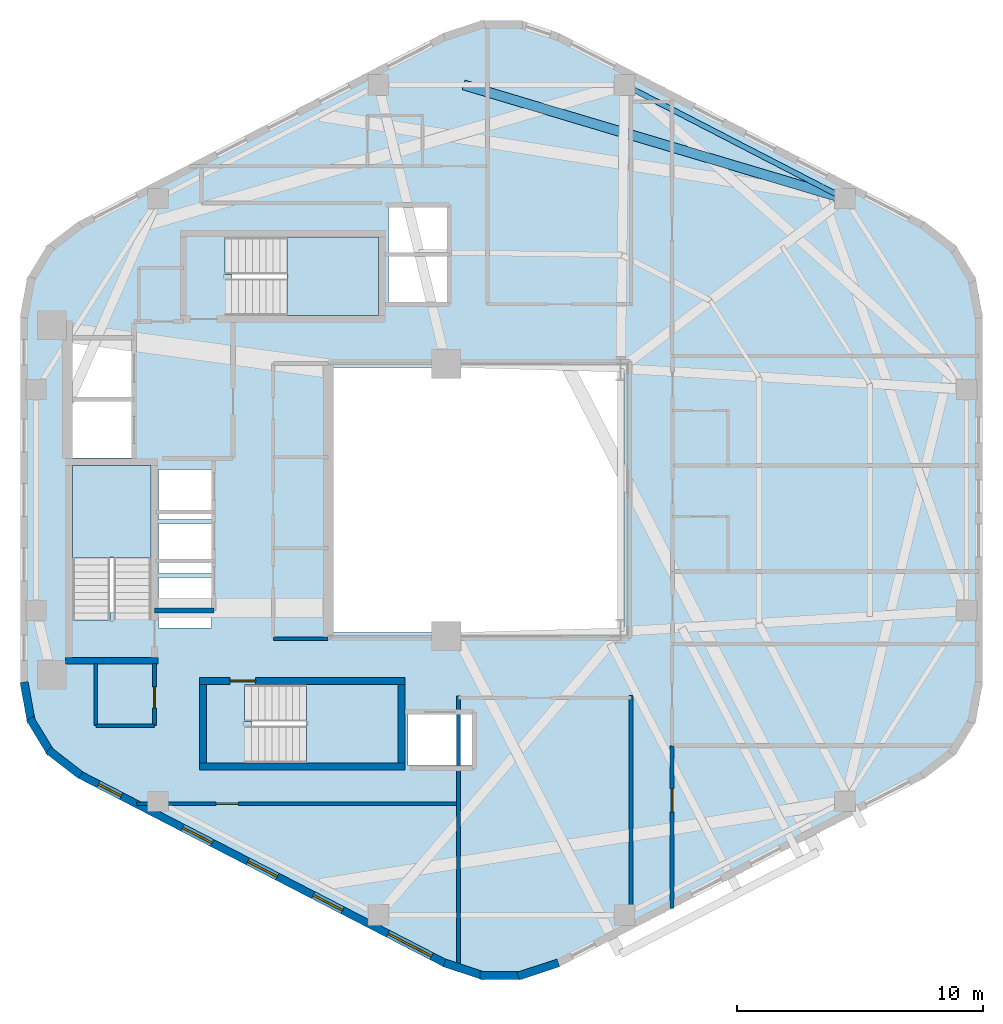
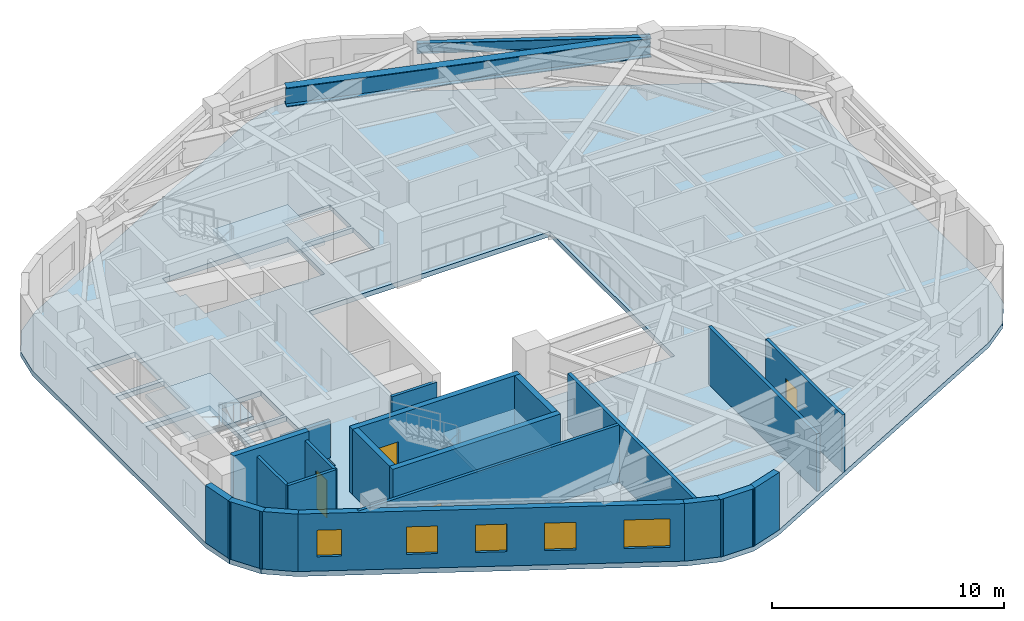
# One storey, part 2 of 7: 21 walls, 5 windows, 4 doors, 4 slabs, 2 beams, 9 openings, 3 elements without a shape of their own.
"""IFC4 building model written with IfcOpenShell, lengths in metres."""

from ifc_helpers import new_model, si_unit, direction, frame, frame_2d, origin, origin_2d, place, context, subcontext, project, spatial, polyline, rectangle, i_section, outline, extrude, material, layer, layer_set, material_profile, profile_set, type_object, element, fill, aggregate, save


model = new_model("IFC4")

# Units and contexts
model_context = context("Model", 3, precision=1e-05, world=origin(), true_north=direction((0.0, 1.0)))
body_context = subcontext(model_context, "Body", "Model", "MODEL_VIEW")
ifc_project = project(units=[si_unit("LENGTHUNIT", "METRE"), si_unit("AREAUNIT", "SQUARE_METRE"), si_unit("VOLUMEUNIT", "CUBIC_METRE"), si_unit("PLANEANGLEUNIT", "RADIAN"), si_unit("MASSUNIT", "GRAM", prefix="KILO"), si_unit("THERMODYNAMICTEMPERATUREUNIT", "KELVIN"), si_unit("POWERUNIT", "WATT")], contexts=[model_context])

# Site, building, storey
site_placement = place(None, origin())
site = spatial("IfcSite", under=ifc_project, at=site_placement, CompositionType="ELEMENT")
building_placement = place(site_placement, origin())
building = spatial("IfcBuilding", under=site, at=building_placement, Name="Skarre Station Tower", CompositionType="ELEMENT")
storey_placement = place(building_placement, frame((0.0, 0.0, 217.14990234375)))
storey = spatial("IfcBuildingStorey", under=building, at=storey_placement, Name="L59", CompositionType="ELEMENT", Elevation=217.14990234375)

# Beams
ifc_material_1 = material(Name="Steel ASTM A992 Grade 50", Category="steel")
ifc_material_profile_1 = material_profile(ifc_material_1, i_section(OverallWidth=0.214111328125, OverallDepth=0.549072265625, WebThickness=0.014892578125, FlangeThickness=0.02392578125, at=origin_2d()), Name="Steel ASTM A992 Grade 50")
ifc_profile_set_1 = profile_set([ifc_material_profile_1], Name="Steel ASTM A992 Grade 50")
beam_type_1 = type_object("IfcBeamType", Name="Steel Spandrel W21X93", PredefinedType="SPANDREL", material=ifc_profile_set_1)
beam_1_placement = place(storey_placement, frame((48.573974609375, 36.257080078125, 2.756103515625), z_axis=(-0.888613027226, 0.458657702262, 0.0), x_axis=(-0.458657702262, -0.888613027226, 0.0)))
element("IfcBeam", 1, at=beam_1_placement, inside=storey, type_object=beam_type_1, Name="L59 Facet Spandrel Beam 1", PredefinedType="SPANDREL", context=body_context, shape_type="SweptSolid", body=[
    extrude(i_section(OverallWidth=0.214111328125, OverallDepth=0.549072265625, WebThickness=0.014892578125, FlangeThickness=0.02392578125, at=origin_2d()), origin(), (0.0, 0.0, 1.0), 10.096435546875),
])
ifc_material_2 = material(Name="Steel ASTM A913 Grade 65", Category="steel")
ifc_material_profile_2 = material_profile(ifc_material_2, i_section(OverallWidth=0.402099609375, OverallDepth=1.008056640625, WebThickness=0.02099609375, FlangeThickness=0.0400390625, at=origin_2d()), Name="Steel ASTM A913 Grade 65")
ifc_profile_set_2 = profile_set([ifc_material_profile_2], Name="Steel ASTM A913 Grade 65")
beam_type_2 = type_object("IfcBeamType", Name="Steel Transfer Girder W40X277", PredefinedType="USERDEFINED", material=ifc_profile_set_2)
beam_2_placement = place(storey_placement, frame((48.573974609375, 36.257080078125, 2.526123046875), z_axis=(-0.958211856567, 0.28605950069, 0.0), x_axis=(-0.28605950069, -0.958211856567, 0.0)))
element("IfcBeam", 2, at=beam_2_placement, inside=storey, type_object=beam_type_2, Name="L59 Setback Perimeter Transfer Girder F0C2", ObjectType="TRANSFER_GIRDER", PredefinedType="USERDEFINED", context=body_context, shape_type="SweptSolid", body=[
    extrude(i_section(OverallWidth=0.402099609375, OverallDepth=1.008056640625, WebThickness=0.02099609375, FlangeThickness=0.0400390625, at=origin_2d()), origin(), (0.0, 0.0, 1.0), 16.1884765625),
])

# Stair, slab
ifc_material_3 = material(Name="Concrete C40/50", Category="concrete")
stair_type_1 = type_object("IfcStairType", Name="Reinforced Concrete Exit Stair ST-1", PredefinedType="HALF_TURN_STAIR", material=ifc_material_3)
stair_1_placement = place(storey_placement, origin())
stair_1 = element("IfcStair", 3, at=stair_1_placement, inside=storey, type_object=stair_type_1, Name="L59 Core Exit Stair ST-1", PredefinedType="HALF_TURN_STAIR")
ifc_layer_1 = layer(ifc_material_3, 0.219970703125, Name="Concrete C40/50")
ifc_layer_set_1 = layer_set([ifc_layer_1], Name="Concrete C40/50")
slab_type_1 = type_object("IfcSlabType", Name="Reinforced Concrete Stair & Ramp Landing 220", PredefinedType="LANDING", material=ifc_layer_set_1)
slab_1_placement = place(storey_placement, frame((0.0, 0.0, 1.525146484375)))
slab_1 = element("IfcSlab", 4, at=slab_1_placement, type_object=slab_type_1, Name="ST-1 landing 1", PredefinedType="LANDING", context=body_context, shape_type="SweptSolid", body=[
    extrude(outline(polyline([(20.35009765625, 21.639892578125), (20.35009765625, 25.39990234375), (17.14990234375, 25.39990234375), (17.14990234375, 21.639892578125), (20.35009765625, 21.639892578125)])), origin(), (0.0, 0.0, 1.0), 0.199951171875),
])
aggregate(stair_1, [slab_1])

stair_type_2 = type_object("IfcStairType", Name="Reinforced Concrete Exit Stair ST-2", PredefinedType="HALF_TURN_STAIR", material=ifc_material_3)
stair_2_placement = place(storey_placement, origin())
stair_2 = element("IfcStair", 5, at=stair_2_placement, inside=storey, type_object=stair_type_2, Name="L59 Core Exit Stair ST-2", PredefinedType="HALF_TURN_STAIR")
slab_2_placement = place(storey_placement, frame((0.0, 0.0, 1.525146484375)))
slab_2 = element("IfcSlab", 6, at=slab_2_placement, type_object=slab_type_1, Name="ST-2 landing 1", PredefinedType="LANDING", context=body_context, shape_type="SweptSolid", body=[
    extrude(outline(polyline([(26.669921875, 13.300048828125), (30.39990234375, 13.300048828125), (30.39990234375, 16.5), (26.669921875, 16.5), (26.669921875, 13.300048828125)])), origin(), (0.0, 0.0, 1.0), 0.199951171875),
])
aggregate(stair_2, [slab_2])

stair_type_3 = type_object("IfcStairType", Name="Reinforced Concrete Exit Stair ST-3", PredefinedType="HALF_TURN_STAIR", material=ifc_material_3)
stair_3_placement = place(storey_placement, origin())
stair_3 = element("IfcStair", 7, at=stair_3_placement, inside=storey, type_object=stair_type_3, Name="L59 Core Exit Stair ST-3", PredefinedType="HALF_TURN_STAIR")
slab_3_placement = place(storey_placement, frame((0.0, 0.0, 1.525146484375)))
slab_3 = element("IfcSlab", 8, at=slab_3_placement, type_object=slab_type_1, Name="ST-3 landing 1", PredefinedType="LANDING", context=body_context, shape_type="SweptSolid", body=[
    extrude(outline(polyline([(25.8701171875, 31.5), (29.60009765625, 31.5), (29.60009765625, 34.699951171875), (25.8701171875, 34.699951171875), (25.8701171875, 31.5)])), origin(), (0.0, 0.0, 1.0), 0.199951171875),
])
aggregate(stair_3, [slab_3])

# Slab
ifc_material_4 = material(Name="Concrete C50/60", Category="concrete")
ifc_layer_2 = layer(ifc_material_4, 0.260009765625, Name="Concrete C50/60")
ifc_layer_set_2 = layer_set([ifc_layer_2], Name="Concrete C50/60")
slab_type_2 = type_object("IfcSlabType", Name="Tower Typical Composite Floor Slab 260", PredefinedType="FLOOR", material=ifc_layer_set_2)
slab_4_placement = place(storey_placement, frame((0.0, 0.0, -0.260009765625)))
element("IfcSlab", 9, at=slab_4_placement, inside=storey, type_object=slab_type_2, Name="L59 Zone 3 Structural Floor Slab", PredefinedType="FLOOR", context=body_context, shape_type="SweptSolid", body=[
    extrude(outline(polyline([(54.172119140625, 31.501953125), (53.89208984375, 33.02294921875), (53.0869140625, 34.344970703125), (51.863037109375, 35.291015625), (36.908935546875, 43.009033203125), (35.39599609375, 43.506103515625), (33.803955078125, 43.506103515625), (32.291015625, 43.009033203125), (17.3369140625, 35.291015625), (16.113037109375, 34.344970703125), (15.30810546875, 33.02294921875), (15.028076171875, 31.501953125), (15.028076171875, 16.498046875), (15.30810546875, 14.97705078125), (16.113037109375, 13.655029296875), (17.3369140625, 12.708984375), (32.291015625, 4.990966796875), (33.803955078125, 4.493896484375), (35.39599609375, 4.493896484375), (36.908935546875, 4.990966796875), (51.863037109375, 12.708984375), (53.0869140625, 13.655029296875), (53.89208984375, 14.97705078125), (54.172119140625, 16.498046875), (54.172119140625, 31.501953125)]), holes=[polyline([(18.669921875, 19.419921875), (18.669921875, 19.123046875), (17.14990234375, 19.123046875), (17.14990234375, 25.39990234375), (20.35009765625, 25.39990234375), (20.35009765625, 19.419921875), (18.669921875, 19.419921875)]), polyline([(24.449951171875, 14.97998046875), (24.153076171875, 14.97998046875), (24.153076171875, 16.5), (30.39990234375, 16.5), (30.39990234375, 13.300048828125), (24.449951171875, 13.300048828125), (24.449951171875, 14.97998046875)]), polyline([(23.64990234375, 33.179931640625), (23.35302734375, 33.179931640625), (23.35302734375, 34.699951171875), (29.60009765625, 34.699951171875), (29.60009765625, 31.5), (23.64990234375, 31.5), (23.64990234375, 33.179931640625)]), polyline([(17.14990234375, 28.0), (19.550048828125, 28.0), (19.550048828125, 25.699951171875), (17.14990234375, 25.699951171875), (17.14990234375, 28.0)]), polyline([(17.14990234375, 30.5), (19.550048828125, 30.5), (19.550048828125, 28.199951171875), (17.14990234375, 28.199951171875), (17.14990234375, 30.5)]), polyline([(30.800048828125, 15.300048828125), (33.39990234375, 15.300048828125), (33.39990234375, 13.199951171875), (30.800048828125, 13.199951171875), (30.800048828125, 15.300048828125)]), polyline([(20.64990234375, 20.85009765625), (22.800048828125, 20.85009765625), (22.800048828125, 18.800048828125), (20.64990234375, 18.800048828125), (20.64990234375, 20.85009765625)]), polyline([(20.64990234375, 23.050048828125), (22.800048828125, 23.050048828125), (22.800048828125, 21.0), (20.64990234375, 21.0), (20.64990234375, 23.050048828125)]), polyline([(20.64990234375, 25.25), (22.800048828125, 25.25), (22.800048828125, 23.199951171875), (20.64990234375, 23.199951171875), (20.64990234375, 25.25)]), polyline([(30.0, 33.89990234375), (32.39990234375, 33.89990234375), (32.39990234375, 32.050048828125), (30.0, 32.050048828125), (30.0, 33.89990234375)]), polyline([(30.0, 35.89990234375), (32.39990234375, 35.89990234375), (32.39990234375, 34.050048828125), (30.0, 34.050048828125), (30.0, 35.89990234375)]), polyline([(27.60009765625, 29.39990234375), (39.60009765625, 29.39990234375), (39.60009765625, 18.60009765625), (27.60009765625, 18.60009765625), (27.60009765625, 29.39990234375)])]), origin(), (0.0, 0.0, 1.0), 0.260009765625),
])

# Walls
ifc_material_5 = material(Name="Acoustic Steel-Stud Gypsum Partition", Category="steel")
ifc_layer_3 = layer(ifc_material_5, 0.14990234375, Name="Acoustic Steel-Stud Gypsum Partition")
ifc_layer_set_3 = layer_set([ifc_layer_3], Name="Acoustic Steel-Stud Gypsum Partition")
wall_type_1 = type_object("IfcWallType", Name="Fire-Rated Corridor Acoustic Partition 150", PredefinedType="PARTITIONING", material=ifc_layer_set_3)
wall_1_placement = place(storey_placement, frame((25.320068359375, 18.360107421875, 0.0), z_axis=(0.0, 0.0, 1.0), x_axis=(1.0, 0.0, 0.0)))
element("IfcWall", 10, at=wall_1_placement, inside=storey, type_object=wall_type_1, Name="L59 Interior Partition WL-PT-L59-RC2-S", PredefinedType="PARTITIONING", context=body_context, shape_type="SweptSolid", body=[
    extrude(rectangle(XDim=2.22998046875, YDim=0.14990234375, at=frame_2d((1.114990234375, 0.0))), origin(), (0.0, 0.0, 1.0), 3.030029296875),
])
wall_2_placement = place(storey_placement, frame((18.10009765625, 17.340087890625, 0.0), z_axis=(0.0, 0.0, 1.0), x_axis=(0.0, -1.0, 0.0)))
element("IfcWall", 11, at=wall_2_placement, inside=storey, type_object=wall_type_1, Name="L59 Interior Partition WL-PT-L59-CSVC-W", PredefinedType="PARTITIONING", context=body_context, shape_type="SweptSolid", body=[
    extrude(rectangle(XDim=2.52001953125, YDim=0.14990234375, at=frame_2d((1.260009765625, 0.0))), origin(), (0.0, 0.0, 1.0), 3.030029296875),
])
wall_3_placement = place(storey_placement, frame((18.10009765625, 14.820068359375, 0.0), z_axis=(0.0, 0.0, 1.0), x_axis=(1.0, 0.0, 0.0)))
element("IfcWall", 12, at=wall_3_placement, inside=storey, type_object=wall_type_1, Name="L59 Interior Partition WL-PT-L59-CSVC-S", PredefinedType="PARTITIONING", context=body_context, shape_type="SweptSolid", body=[
    extrude(rectangle(XDim=2.389892578125, YDim=0.14990234375, at=frame_2d((1.19482421875, 0.0))), origin(), (0.0, 0.0, 1.0), 3.030029296875),
])

# Wall, opening, door
wall_4_placement = place(storey_placement, frame((20.489990234375, 14.820068359375, 0.0), z_axis=(0.0, 0.0, 1.0), x_axis=(0.0, 1.0, 0.0)))
wall_4 = element("IfcWall", 13, at=wall_4_placement, inside=storey, type_object=wall_type_1, Name="L59 Interior Partition WL-PT-L59-CSVC-E", PredefinedType="PARTITIONING", context=body_context, shape_type="SweptSolid", body=[
    extrude(rectangle(XDim=2.52001953125, YDim=0.14990234375, at=frame_2d((1.260009765625, 0.0))), origin(), (0.0, 0.0, 1.0), 3.030029296875),
])
opening_1_placement = place(wall_4_placement, frame((0.719970703125, 0.0, 0.0)))
opening_1 = element("IfcOpeningElement", 14, at=opening_1_placement, cuts=wall_4, Name="Opening DR-SVC86", PredefinedType="OPENING", context=body_context, shape_type="SweptSolid", body=[
    extrude(rectangle(XDim=0.860107421875, YDim=2.0, at=frame_2d((0.43017578125, 1.0))), frame((0.0, 0.0849609375, 0.0), z_axis=(0.0, -1.0, 0.0), x_axis=(1.0, 0.0, 0.0)), (0.0, 0.0, 1.0), 0.169921875),
])
ifc_material_6 = material(Name="Powder-Coated Hollow-Metal Acoustic Fire Leaf", Category="steel")
door_type_1 = type_object("IfcDoorType", Name="Compact Riser Fire Door FD60 860x2100", OperationType="SINGLE_SWING_LEFT", PredefinedType="DOOR", material=ifc_material_6)
door_1_placement = place(opening_1_placement, origin())
door_1 = element("IfcDoor", 15, at=door_1_placement, inside=storey, type_object=door_type_1, Name="L59 Core Staff Toilet Door", OperationType="SINGLE_SWING_LEFT", OverallHeight=2.0, OverallWidth=0.860107421875, PredefinedType="DOOR", context=body_context, shape_type="SweptSolid", body=[
    extrude(rectangle(XDim=0.860107421875, YDim=2.0, at=frame_2d((0.43017578125, 1.0))), frame((0.0, 0.02490234375, 0.0), z_axis=(0.0, -1.0, 0.0), x_axis=(1.0, 0.0, 0.0)), (0.0, 0.0, 1.0), 0.050048828125),
])
fill(opening_1, door_1)

wall_5_placement = place(storey_placement, frame((19.757080078125, 11.639892578125, 0.0), z_axis=(0.0, 0.0, 1.0), x_axis=(1.0, 0.0, 0.0)))
wall_5 = element("IfcWall", 16, at=wall_5_placement, inside=storey, type_object=wall_type_1, Name="L59 Interior Partition WL-PT-L59-SWP-N", PredefinedType="PARTITIONING", context=body_context, shape_type="SweptSolid", body=[
    extrude(rectangle(XDim=13.093017578125, YDim=0.14990234375, at=frame_2d((6.54638671875, 0.0))), origin(), (0.0, 0.0, 1.0), 3.030029296875),
])
opening_2_placement = place(wall_5_placement, frame((3.242919921875, 0.0, 0.0)))
opening_2 = element("IfcOpeningElement", 17, at=opening_2_placement, cuts=wall_5, Name="Opening DR-SVC90", PredefinedType="OPENING", context=body_context, shape_type="SweptSolid", body=[
    extrude(rectangle(XDim=0.89990234375, YDim=2.0, at=frame_2d((0.449951171875, 1.0))), frame((0.0, 0.0849609375, 0.0), z_axis=(0.0, -1.0, 0.0), x_axis=(1.0, 0.0, 0.0)), (0.0, 0.0, 1.0), 0.169921875),
])
door_type_2 = type_object("IfcDoorType", Name="Service & Riser Fire Door FD60 900x2100", OperationType="SINGLE_SWING_LEFT", PredefinedType="DOOR", material=ifc_material_6)
door_2_placement = place(opening_2_placement, origin())
door_2 = element("IfcDoor", 18, at=door_2_placement, inside=storey, type_object=door_type_2, Name="L59 Floor Public Toilets Door", OperationType="SINGLE_SWING_LEFT", OverallHeight=2.0, OverallWidth=0.89990234375, PredefinedType="DOOR", context=body_context, shape_type="SweptSolid", body=[
    extrude(rectangle(XDim=0.89990234375, YDim=2.0, at=frame_2d((0.449951171875, 1.0))), frame((0.0, 0.02490234375, 0.0), z_axis=(0.0, -1.0, 0.0), x_axis=(1.0, 0.0, 0.0)), (0.0, 0.0, 1.0), 0.050048828125),
])
fill(opening_2, door_2)

wall_6_placement = place(storey_placement, frame((41.5400390625, 7.39208984375, 0.0), z_axis=(0.0, 0.0, 1.0), x_axis=(0.0, 1.0, 0.0)))
wall_6 = element("IfcWall", 19, at=wall_6_placement, inside=storey, type_object=wall_type_1, Name="L59 Interior Partition WL-PT-L59-SW1-CW", PredefinedType="PARTITIONING", context=body_context, shape_type="SweptSolid", body=[
    extrude(rectangle(XDim=6.594970703125, YDim=0.14990234375, at=frame_2d((3.29736328125, 0.0))), origin(), (0.0, 0.0, 1.0), 3.030029296875),
])
opening_3_placement = place(wall_6_placement, frame((3.908935546875, 0.0, 0.0)))
opening_3 = element("IfcOpeningElement", 20, at=opening_3_placement, cuts=wall_6, Name="Opening DR-FD60", PredefinedType="OPENING", context=body_context, shape_type="SweptSolid", body=[
    extrude(rectangle(XDim=0.9599609375, YDim=2.0, at=frame_2d((0.47998046875, 1.0))), frame((0.0, 0.0849609375, 0.0), z_axis=(0.0, -1.0, 0.0), x_axis=(1.0, 0.0, 0.0)), (0.0, 0.0, 1.0), 0.169921875),
])
ifc_material_7 = material(Name="Nordic White-Oak Veneer Solid-Core Fire Leaf", Category="wood")
door_type_3 = type_object("IfcDoorType", Name="Corridor Suite Entry Fire Door FD60 960x2150", OperationType="SINGLE_SWING_LEFT", PredefinedType="DOOR", material=ifc_material_7)
door_3_placement = place(opening_3_placement, origin())
door_3 = element("IfcDoor", 21, at=door_3_placement, inside=storey, type_object=door_type_3, Name="L59 SW1 Entry Door", OperationType="SINGLE_SWING_LEFT", OverallHeight=2.0, OverallWidth=0.9599609375, PredefinedType="DOOR", context=body_context, shape_type="SweptSolid", body=[
    extrude(rectangle(XDim=0.9599609375, YDim=2.0, at=frame_2d((0.47998046875, 1.0))), frame((0.0, 0.02490234375, 0.0), z_axis=(0.0, -1.0, 0.0), x_axis=(1.0, 0.0, 0.0)), (0.0, 0.0, 1.0), 0.050048828125),
])
fill(opening_3, door_3)

# Walls
ifc_material_8 = material(Name="Precast concrete C45/55", Category="concrete")
ifc_layer_4 = layer(ifc_material_8, 0.330078125, Name="Precast concrete C45/55")
ifc_layer_set_4 = layer_set([ifc_layer_4], Name="Precast concrete C45/55")
wall_type_2 = type_object("IfcWallType", Name="Nordic Rounded Corner Precast Wall 330", PredefinedType="STANDARD", material=ifc_layer_set_4)
wall_7_placement = place(storey_placement, frame((17.489013671875, 12.800048828125, 0.0), z_axis=(0.0, 0.0, 1.0), x_axis=(-0.791409877269, 0.611285862884, 0.0)))
element("IfcWall", 22, at=wall_7_placement, inside=storey, type_object=wall_type_2, Name="L59 Rounded Corner Precast Wall F3-1", PredefinedType="STANDARD", context=body_context, shape_type="SweptSolid", body=[
    extrude(rectangle(XDim=1.676513671875, YDim=0.330078125, at=frame_2d((0.83837890625, 0.0))), origin(), (0.0, 0.0, 1.0), 3.030029296875),
])
wall_8_placement = place(storey_placement, frame((16.2880859375, 13.68505859375, 0.0), z_axis=(0.0, 0.0, 1.0), x_axis=(-0.520325409202, 0.853968072318, 0.0)))
element("IfcWall", 23, at=wall_8_placement, inside=storey, type_object=wall_type_2, Name="L59 Rounded Corner Precast Wall F3-2", PredefinedType="STANDARD", context=body_context, shape_type="SweptSolid", body=[
    extrude(rectangle(XDim=1.677978515625, YDim=0.330078125, at=frame_2d((0.8388671875, 0.0))), origin(), (0.0, 0.0, 1.0), 3.030029296875),
])
wall_9_placement = place(storey_placement, frame((15.48193359375, 14.943115234375, 0.0), z_axis=(0.0, 0.0, 1.0), x_axis=(-0.180717642671, 0.983535019014, 0.0)))
element("IfcWall", 24, at=wall_9_placement, inside=storey, type_object=wall_type_2, Name="L59 Rounded Corner Precast Wall F3-3", PredefinedType="STANDARD", context=body_context, shape_type="SweptSolid", body=[
    extrude(rectangle(XDim=1.676513671875, YDim=0.330078125, at=frame_2d((0.83837890625, 0.0))), origin(), (0.0, 0.0, 1.0), 3.030029296875),
])
wall_10_placement = place(storey_placement, frame((36.9189453125, 5.16796875, 0.0), z_axis=(0.0, 0.0, 1.0), x_axis=(-0.949937416267, -0.312440242569, 0.0)))
element("IfcWall", 25, at=wall_10_placement, inside=storey, type_object=wall_type_2, Name="L59 Rounded Corner Precast Wall F4-1", PredefinedType="STANDARD", context=body_context, shape_type="SweptSolid", body=[
    extrude(rectangle(XDim=1.72216796875, YDim=0.330078125, at=frame_2d((0.861083984375, 0.0))), origin(), (0.0, 0.0, 1.0), 3.030029296875),
])
wall_11_placement = place(storey_placement, frame((35.4609375, 4.658935546875, 0.0), z_axis=(0.0, 0.0, 1.0), x_axis=(-1.0, 0.0, 0.0)))
element("IfcWall", 26, at=wall_11_placement, inside=storey, type_object=wall_type_2, Name="L59 Rounded Corner Precast Wall F4-2", PredefinedType="STANDARD", context=body_context, shape_type="SweptSolid", body=[
    extrude(rectangle(XDim=1.721923828125, YDim=0.330078125, at=frame_2d((0.86083984375, 0.0))), origin(), (0.0, 0.0, 1.0), 3.030029296875),
])
wall_12_placement = place(storey_placement, frame((33.9169921875, 4.6298828125, 0.0), z_axis=(0.0, 0.0, 1.0), x_axis=(-0.949937416267, 0.312440242569, 0.0)))
element("IfcWall", 27, at=wall_12_placement, inside=storey, type_object=wall_type_2, Name="L59 Rounded Corner Precast Wall F4-3", PredefinedType="STANDARD", context=body_context, shape_type="SweptSolid", body=[
    extrude(rectangle(XDim=1.72216796875, YDim=0.330078125, at=frame_2d((0.861083984375, 0.0))), origin(), (0.0, 0.0, 1.0), 3.030029296875),
])

# Wall, openings, windows
ifc_layer_5 = layer(ifc_material_8, 0.31005859375, Name="Precast concrete C45/55")
ifc_layer_set_5 = layer_set([ifc_layer_5], Name="Precast concrete C45/55")
wall_type_3 = type_object("IfcWallType", Name="Nordic Upper-Zone Precast Facet Wall 310", PredefinedType="STANDARD", material=ifc_layer_set_5)
wall_13_placement = place(storey_placement, frame((32.362060546875, 5.12890625, 0.0), z_axis=(0.0, 0.0, 1.0), x_axis=(-0.888626188278, 0.458632202867, 0.0)))
wall_13 = element("IfcWall", 28, at=wall_13_placement, inside=storey, type_object=wall_type_3, Name="L59 Facet 3 Nordic Precast Masonry Wall", PredefinedType="STANDARD", context=body_context, shape_type="SweptSolid", body=[
    extrude(rectangle(XDim=16.828369140625, YDim=0.31005859375, at=frame_2d((8.4140625, 0.0))), origin(), (0.0, 0.0, 1.0), 3.030029296875),
])
opening_4_placement = place(wall_13_placement, frame((0.675048828125, 0.0, 0.75)))
opening_4 = element("IfcOpeningElement", 29, at=opening_4_placement, cuts=wall_13, Name="Opening WN-Z3A", PredefinedType="OPENING", context=body_context, shape_type="SweptSolid", body=[
    extrude(rectangle(XDim=2.0, YDim=1.5, at=frame_2d((1.0, 0.75))), frame((0.0, 0.1650390625, 0.0), z_axis=(0.0, -1.0, 0.0), x_axis=(1.0, 0.0, 0.0)), (0.0, 0.0, 1.0), 0.330078125),
])
opening_5_placement = place(wall_13_placement, frame((4.75, 0.0, 0.75)))
opening_5 = element("IfcOpeningElement", 30, at=opening_5_placement, cuts=wall_13, Name="Opening WN-Z3B", PredefinedType="OPENING", context=body_context, shape_type="SweptSolid", body=[
    extrude(rectangle(XDim=1.35009765625, YDim=1.449951171875, at=frame_2d((0.675048828125, 0.72509765625))), frame((0.0, 0.1650390625, 0.0), z_axis=(0.0, -1.0, 0.0), x_axis=(1.0, 0.0, 0.0)), (0.0, 0.0, 1.0), 0.330078125),
])
opening_6_placement = place(wall_13_placement, frame((7.739013671875, 0.0, 0.75)))
opening_6 = element("IfcOpeningElement", 31, at=opening_6_placement, cuts=wall_13, Name="Opening WN-Z3B", PredefinedType="OPENING", context=body_context, shape_type="SweptSolid", body=[
    extrude(rectangle(XDim=1.35009765625, YDim=1.449951171875, at=frame_2d((0.675048828125, 0.72509765625))), frame((0.0, 0.1650390625, 0.0), z_axis=(0.0, -1.0, 0.0), x_axis=(1.0, 0.0, 0.0)), (0.0, 0.0, 1.0), 0.330078125),
])
opening_7_placement = place(wall_13_placement, frame((10.72802734375, 0.0, 0.75)))
opening_7 = element("IfcOpeningElement", 32, at=opening_7_placement, cuts=wall_13, Name="Opening WN-Z3B", PredefinedType="OPENING", context=body_context, shape_type="SweptSolid", body=[
    extrude(rectangle(XDim=1.35009765625, YDim=1.449951171875, at=frame_2d((0.675048828125, 0.72509765625))), frame((0.0, 0.1650390625, 0.0), z_axis=(0.0, -1.0, 0.0), x_axis=(1.0, 0.0, 0.0)), (0.0, 0.0, 1.0), 0.330078125),
])
opening_8_placement = place(wall_13_placement, frame((14.885009765625, 0.0, 0.75)))
opening_8 = element("IfcOpeningElement", 33, at=opening_8_placement, cuts=wall_13, Name="Opening WN-SLT", PredefinedType="OPENING", context=body_context, shape_type="SweptSolid", body=[
    extrude(rectangle(XDim=1.050048828125, YDim=1.39990234375, at=frame_2d((0.52490234375, 0.699951171875))), frame((0.0, 0.1650390625, 0.0), z_axis=(0.0, -1.0, 0.0), x_axis=(1.0, 0.0, 0.0)), (0.0, 0.0, 1.0), 0.330078125),
])
ifc_material_9 = material(Name="Low-Iron Triple Glazing with Bronze Anodized Frame", Category="glass")
window_type_1 = type_object("IfcWindowType", Name="Nordic Corner Slot Window 1050x1400", PartitioningType="SINGLE_PANEL", PredefinedType="WINDOW", material=ifc_material_9)
window_1_placement = place(opening_8_placement, origin())
window_1 = element("IfcWindow", 34, at=window_1_placement, inside=storey, type_object=window_type_1, Name="L59 Facade Window WL-FAC-L59-F3-5", OverallHeight=1.39990234375, OverallWidth=1.050048828125, PartitioningType="SINGLE_PANEL", PredefinedType="WINDOW", context=body_context, shape_type="SweptSolid", body=[
    extrude(rectangle(XDim=1.050048828125, YDim=1.39990234375, at=frame_2d((0.52490234375, 0.699951171875))), frame((0.0, 0.030029296875, 0.0), z_axis=(0.0, -1.0, 0.0), x_axis=(1.0, 0.0, 0.0)), (0.0, 0.0, 1.0), 0.06005859375),
])
fill(opening_8, window_1)
window_type_2 = type_object("IfcWindowType", Name="Nordic Hospitality Narrow Window 1350x1450", PartitioningType="SINGLE_PANEL", PredefinedType="WINDOW", material=ifc_material_9)
window_2_placement = place(opening_5_placement, origin())
window_2 = element("IfcWindow", 35, at=window_2_placement, inside=storey, type_object=window_type_2, Name="L59 Facade Window WL-FAC-L59-F3-2", OverallHeight=1.449951171875, OverallWidth=1.35009765625, PartitioningType="SINGLE_PANEL", PredefinedType="WINDOW", context=body_context, shape_type="SweptSolid", body=[
    extrude(rectangle(XDim=1.35009765625, YDim=1.449951171875, at=frame_2d((0.675048828125, 0.72509765625))), frame((0.0, 0.030029296875, 0.0), z_axis=(0.0, -1.0, 0.0), x_axis=(1.0, 0.0, 0.0)), (0.0, 0.0, 1.0), 0.06005859375),
])
fill(opening_5, window_2)
window_3_placement = place(opening_6_placement, origin())
window_3 = element("IfcWindow", 36, at=window_3_placement, inside=storey, type_object=window_type_2, Name="L59 Facade Window WL-FAC-L59-F3-3", OverallHeight=1.449951171875, OverallWidth=1.35009765625, PartitioningType="SINGLE_PANEL", PredefinedType="WINDOW", context=body_context, shape_type="SweptSolid", body=[
    extrude(rectangle(XDim=1.35009765625, YDim=1.449951171875, at=frame_2d((0.675048828125, 0.72509765625))), frame((0.0, 0.030029296875, 0.0), z_axis=(0.0, -1.0, 0.0), x_axis=(1.0, 0.0, 0.0)), (0.0, 0.0, 1.0), 0.06005859375),
])
fill(opening_6, window_3)
window_4_placement = place(opening_7_placement, origin())
window_4 = element("IfcWindow", 37, at=window_4_placement, inside=storey, type_object=window_type_2, Name="L59 Facade Window WL-FAC-L59-F3-4", OverallHeight=1.449951171875, OverallWidth=1.35009765625, PartitioningType="SINGLE_PANEL", PredefinedType="WINDOW", context=body_context, shape_type="SweptSolid", body=[
    extrude(rectangle(XDim=1.35009765625, YDim=1.449951171875, at=frame_2d((0.675048828125, 0.72509765625))), frame((0.0, 0.030029296875, 0.0), z_axis=(0.0, -1.0, 0.0), x_axis=(1.0, 0.0, 0.0)), (0.0, 0.0, 1.0), 0.06005859375),
])
fill(opening_7, window_4)
window_type_3 = type_object("IfcWindowType", Name="Nordic Hospitality Window 2000x1500", PartitioningType="SINGLE_PANEL", PredefinedType="WINDOW", material=ifc_material_9)
window_5_placement = place(opening_4_placement, origin())
window_5 = element("IfcWindow", 38, at=window_5_placement, inside=storey, type_object=window_type_3, Name="L59 Facade Window WL-FAC-L59-F3-1", OverallHeight=1.5, OverallWidth=2.0, PartitioningType="SINGLE_PANEL", PredefinedType="WINDOW", context=body_context, shape_type="SweptSolid", body=[
    extrude(rectangle(XDim=2.0, YDim=1.5, at=frame_2d((1.0, 0.75))), frame((0.0, 0.030029296875, 0.0), z_axis=(0.0, -1.0, 0.0), x_axis=(1.0, 0.0, 0.0)), (0.0, 0.0, 1.0), 0.06005859375),
])
fill(opening_4, window_5)

# Walls
ifc_layer_6 = layer(ifc_material_4, 0.280029296875, Name="Concrete C50/60")
ifc_layer_set_6 = layer_set([ifc_layer_6], Name="Concrete C50/60")
wall_type_4 = type_object("IfcWallType", Name="RC Core Shear Wall 280", PredefinedType="SHEAR", material=ifc_layer_set_6)
wall_14_placement = place(storey_placement, frame((16.8701171875, 17.4599609375, 0.0), z_axis=(0.0, 0.0, 1.0), x_axis=(1.0, 0.0, 0.0)))
element("IfcWall", 39, at=wall_14_placement, inside=storey, type_object=wall_type_4, Name="L59 Stair ST-1 South Shear Wall", PredefinedType="SHEAR", context=body_context, shape_type="SweptSolid", body=[
    extrude(rectangle(XDim=3.759765625, YDim=0.280029296875, at=frame_2d((1.8798828125, 0.0))), origin(), (0.0, 0.0, 1.0), 3.4501953125),
])
wall_15_placement = place(storey_placement, frame((22.320068359375, 13.159912109375, 0.0), z_axis=(0.0, 0.0, 1.0), x_axis=(1.0, 0.0, 0.0)))
element("IfcWall", 40, at=wall_15_placement, inside=storey, type_object=wall_type_4, Name="L59 Stair ST-2 South Shear Wall", PredefinedType="SHEAR", context=body_context, shape_type="SweptSolid", body=[
    extrude(rectangle(XDim=8.35986328125, YDim=0.280029296875, at=frame_2d((4.179931640625, 0.0))), origin(), (0.0, 0.0, 1.0), 3.4501953125),
])

# Wall, opening, door
wall_16_placement = place(storey_placement, frame((30.679931640625, 16.639892578125, 0.0), z_axis=(0.0, 0.0, 1.0), x_axis=(-1.0, 0.0, 0.0)))
wall_16 = element("IfcWall", 41, at=wall_16_placement, inside=storey, type_object=wall_type_4, Name="L59 Stair ST-2 North Shear Wall", PredefinedType="SHEAR", context=body_context, shape_type="SweptSolid", body=[
    extrude(rectangle(XDim=8.35986328125, YDim=0.280029296875, at=frame_2d((4.179931640625, 0.0))), origin(), (0.0, 0.0, 1.0), 3.4501953125),
])
opening_9_placement = place(wall_16_placement, frame((6.080078125, 0.0, 0.0)))
opening_9 = element("IfcOpeningElement", 42, at=opening_9_placement, cuts=wall_16, Name="Opening DR-FD90", PredefinedType="OPENING", context=body_context, shape_type="SweptSolid", body=[
    extrude(rectangle(XDim=1.050048828125, YDim=2.0, at=frame_2d((0.52490234375, 1.0))), frame((0.0, 0.14990234375, 0.0), z_axis=(0.0, -1.0, 0.0), x_axis=(1.0, 0.0, 0.0)), (0.0, 0.0, 1.0), 0.300048828125),
])
ifc_material_10 = material(Name="Fire-Rated Insulated Steel Frame & Timber Core Leaf", Category="steel")
door_type_4 = type_object("IfcDoorType", Name="Stair & FSAE Lobby Fire Door FD90 1050x2150", OperationType="SINGLE_SWING_RIGHT", PredefinedType="DOOR", material=ifc_material_10)
door_4_placement = place(opening_9_placement, origin())
door_4 = element("IfcDoor", 43, at=door_4_placement, inside=storey, type_object=door_type_4, Name="L59 Stair ST-2 Exit Door", OperationType="SINGLE_SWING_RIGHT", OverallHeight=2.0, OverallWidth=1.050048828125, PredefinedType="DOOR", context=body_context, shape_type="SweptSolid", body=[
    extrude(rectangle(XDim=1.050048828125, YDim=2.0, at=frame_2d((0.52490234375, 1.0))), frame((0.0, 0.02490234375, 0.0), z_axis=(0.0, -1.0, 0.0), x_axis=(1.0, 0.0, 0.0)), (0.0, 0.0, 1.0), 0.050048828125),
])
fill(opening_9, door_4)

# Walls
for number, where, z_axis, x_axis, name in (
    (44, (22.4599609375, 16.5, 0.0), (0.0, 0.0, 1.0), (0.0, -1.0, 0.0), "L59 Stair ST-2 West Shear Wall"),
    (45, (30.5400390625, 13.300048828125, 0.0), (0.0, 0.0, 1.0), (0.0, 1.0, 0.0), "L59 Stair ST-2 East Shear Wall"),
):
    element("IfcWall", number, at=place(storey_placement, frame(where, z_axis=z_axis, x_axis=x_axis)), inside=storey, type_object=wall_type_4, Name=name, PredefinedType="SHEAR", context=body_context, shape_type="SweptSolid", body=[
        extrude(rectangle(XDim=3.199951171875, YDim=0.280029296875, at=frame_2d((1.60009765625, 0.0))), origin(), (0.0, 0.0, 1.0), 3.4501953125),
    ])
ifc_material_11 = material(Name="Gypsum Concrete Shaft Assembly C30/37", Category="concrete")
ifc_layer_7 = layer(ifc_material_11, 0.199951171875, Name="Gypsum Concrete Shaft Assembly C30/37")
ifc_layer_set_7 = layer_set([ifc_layer_7], Name="Gypsum Concrete Shaft Assembly C30/37")
wall_type_5 = type_object("IfcWallType", Name="Shaft & Core Fire Partition 200", PredefinedType="PARTITIONING", material=ifc_layer_set_7)
wall_17_placement = place(storey_placement, frame((20.489990234375, 19.5, 0.0), z_axis=(0.0, 0.0, 1.0), x_axis=(1.0, 0.0, 0.0)))
element("IfcWall", 46, at=wall_17_placement, inside=storey, type_object=wall_type_5, Name="L59 Interior Partition WL-PT-L59-B3-S", PredefinedType="PARTITIONING", context=body_context, shape_type="SweptSolid", body=[
    extrude(rectangle(XDim=2.409912109375, YDim=0.199951171875, at=frame_2d((1.205078125, 0.0))), origin(), (0.0, 0.0, 1.0), 1.93017578125),
])
ifc_layer_8 = layer(ifc_material_5, 0.1650390625, Name="Acoustic Steel-Stud Gypsum Partition")
ifc_layer_set_8 = layer_set([ifc_layer_8], Name="Acoustic Steel-Stud Gypsum Partition")
wall_type_6 = type_object("IfcWallType", Name="Suite Demising Acoustic Partition 165", PredefinedType="PARTITIONING", material=ifc_layer_set_8)
wall_18_placement = place(storey_placement, frame((32.85009765625, 4.97607421875, 0.0), z_axis=(0.0, 0.0, 1.0), x_axis=(0.0, 1.0, 0.0)))
element("IfcWall", 47, at=wall_18_placement, inside=storey, type_object=wall_type_6, Name="L59 Interior Partition WL-PT-L59-SWP-E", PredefinedType="PARTITIONING", context=body_context, shape_type="SweptSolid", body=[
    extrude(rectangle(XDim=11.053955078125, YDim=0.1650390625, at=frame_2d((5.52685546875, 0.0))), origin(), (0.0, 0.0, 1.0), 3.030029296875),
])
wall_19_placement = place(storey_placement, frame((39.8798828125, 6.7041015625, 0.0), z_axis=(0.0, 0.0, 1.0), x_axis=(0.0, 1.0, 0.0)))
element("IfcWall", 48, at=wall_19_placement, inside=storey, type_object=wall_type_6, Name="L59 Interior Partition WL-PT-L59-SWC-E", PredefinedType="PARTITIONING", context=body_context, shape_type="SweptSolid", body=[
    extrude(rectangle(XDim=9.345947265625, YDim=0.1650390625, at=frame_2d((4.6728515625, 0.0))), origin(), (0.0, 0.0, 1.0), 3.030029296875),
])

save(model, "model.ifc")
